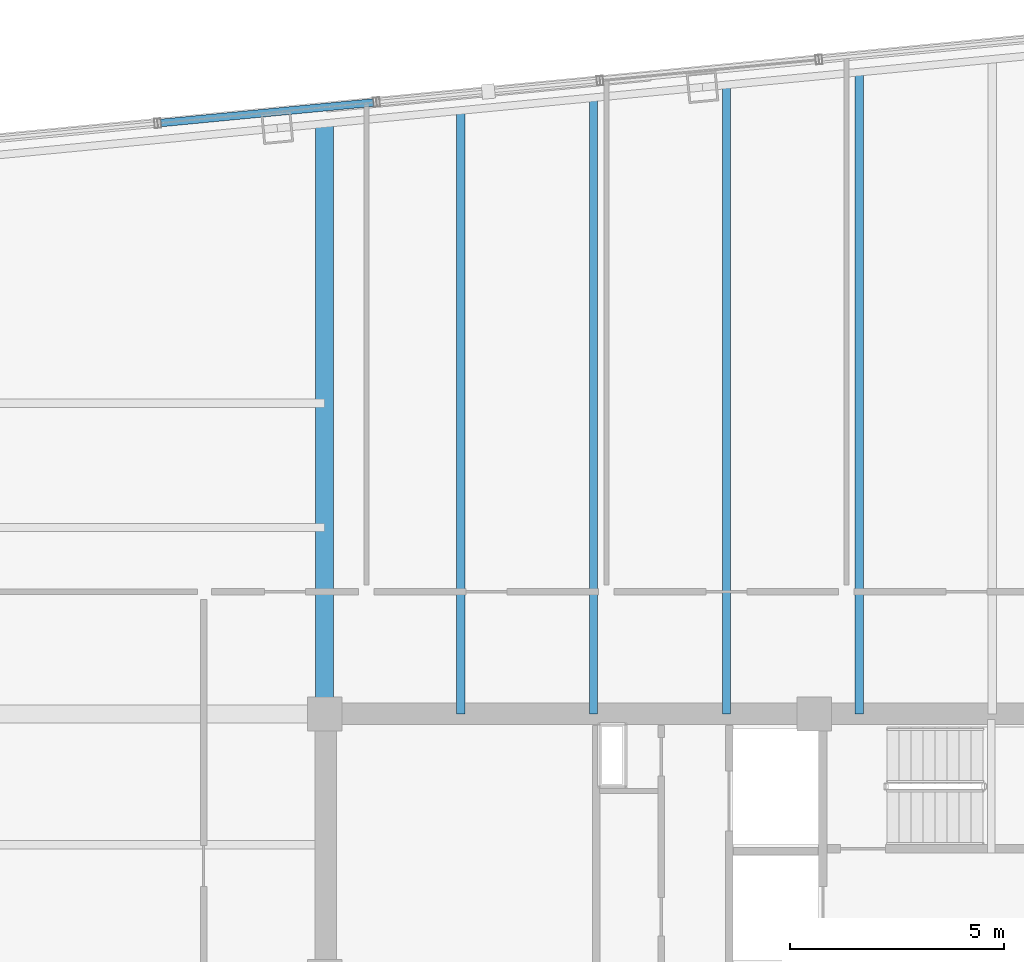
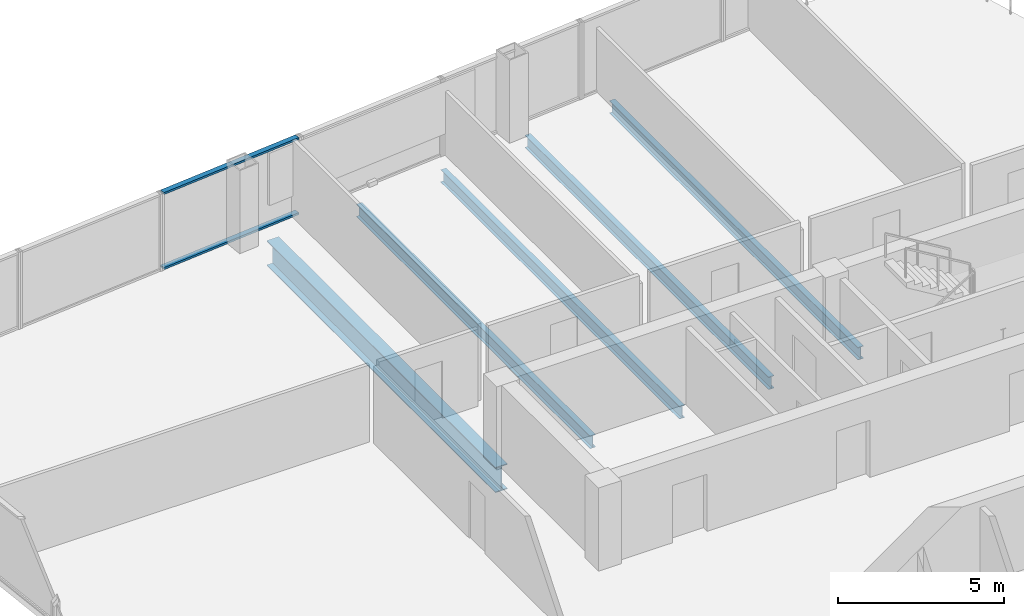
# One storey, part 13 of 22: 5 beams, 2 members, 1 element without a shape of its own.
"""IFC4 building model written with IfcOpenShell, lengths in metres."""

from ifc_helpers import new_model, si_unit, direction, frame, origin, origin_2d, place, context, subcontext, project, spatial, hollow_rectangle, i_section, extrude, material, layer, layer_set, material_profile, profile_set, type_object, element, aggregate, save


model = new_model("IFC4")

# Units and contexts
model_context = context("Model", 3, precision=1e-05, world=origin(), true_north=direction((0.0, 1.0)))
body_context = subcontext(model_context, "Body", "Model", "MODEL_VIEW")
ifc_project = project(units=[si_unit("LENGTHUNIT", "METRE"), si_unit("AREAUNIT", "SQUARE_METRE"), si_unit("VOLUMEUNIT", "CUBIC_METRE"), si_unit("PLANEANGLEUNIT", "RADIAN"), si_unit("MASSUNIT", "GRAM", prefix="KILO")], contexts=[model_context])

# Site, building, storey
site_placement = place(None, origin())
site = spatial("IfcSite", under=ifc_project, at=site_placement, CompositionType="ELEMENT")
building_placement = place(site_placement, origin())
building = spatial("IfcBuilding", under=site, at=building_placement, Name="Qhalaya Broadcast Tower", CompositionType="ELEMENT")
storey_placement = place(building_placement, frame((0.0, 0.0, 165.300048828125)))
storey = spatial("IfcBuildingStorey", under=building, at=storey_placement, Name="L48", CompositionType="ELEMENT", Elevation=165.300048828125)

# Beams
ifc_material_1 = material(Name="Structural Steel ASTM A992 Grade 50", Category="steel")
ifc_material_profile_1 = material_profile(ifc_material_1, i_section(OverallWidth=0.19189453125, OverallDepth=0.462890625, WebThickness=0.010498046875, FlangeThickness=0.017578125, at=origin_2d()), Name="W18X60")
ifc_profile_set_1 = profile_set([ifc_material_profile_1], Name="Structural Steel ASTM A992 Grade 50")
beam_type_1 = type_object("IfcBeamType", Name="Composite Floor Joist J03", PredefinedType="JOIST", material=ifc_profile_set_1)
beam_1_placement = place(storey_placement, frame((-6.199951171875, 9.949951171875, -0.45166015625), z_axis=(0.0, 1.0, 0.0), x_axis=(-1.0, 0.0, 0.0)))
element("IfcBeam", 1, at=beam_1_placement, inside=storey, type_object=beam_type_1, Name="L48 J03 L48-JNN1-1", PredefinedType="JOIST", context=body_context, shape_type="SweptSolid", body=[
    extrude(i_section(OverallWidth=0.19189453125, OverallDepth=0.462890625, WebThickness=0.010498046875, FlangeThickness=0.017578125, at=origin_2d()), origin(), (0.0, 0.0, 1.0), 14.059326171875),
])
beam_2_placement = place(storey_placement, frame((-3.10009765625, 9.949951171875, -0.45166015625), z_axis=(0.0, 1.0, 0.0), x_axis=(-1.0, 0.0, 0.0)))
element("IfcBeam", 2, at=beam_2_placement, inside=storey, type_object=beam_type_1, Name="L48 J03 L48-JNN2-1", PredefinedType="JOIST", context=body_context, shape_type="SweptSolid", body=[
    extrude(i_section(OverallWidth=0.19189453125, OverallDepth=0.462890625, WebThickness=0.010498046875, FlangeThickness=0.017578125, at=origin_2d()), origin(), (0.0, 0.0, 1.0), 14.35791015625),
])
beam_3_placement = place(storey_placement, frame((0.0, 9.949951171875, -0.45166015625), z_axis=(0.0, 1.0, 0.0), x_axis=(-1.0, 0.0, 0.0)))
element("IfcBeam", 3, at=beam_3_placement, inside=storey, type_object=beam_type_1, Name="L48 J03 L48-JNN3-1", PredefinedType="JOIST", context=body_context, shape_type="SweptSolid", body=[
    extrude(i_section(OverallWidth=0.19189453125, OverallDepth=0.462890625, WebThickness=0.010498046875, FlangeThickness=0.017578125, at=origin_2d()), origin(), (0.0, 0.0, 1.0), 14.65625),
])
beam_4_placement = place(storey_placement, frame((3.10009765625, 9.949951171875, -0.45166015625), z_axis=(0.0, 1.0, 0.0), x_axis=(-1.0, 0.0, 0.0)))
element("IfcBeam", 4, at=beam_4_placement, inside=storey, type_object=beam_type_1, Name="L48 J03 L48-JNN4-1", PredefinedType="JOIST", context=body_context, shape_type="SweptSolid", body=[
    extrude(i_section(OverallWidth=0.19189453125, OverallDepth=0.462890625, WebThickness=0.010498046875, FlangeThickness=0.017578125, at=origin_2d()), origin(), (0.0, 0.0, 1.0), 14.954833984375),
])
ifc_material_profile_2 = material_profile(ifc_material_1, i_section(OverallWidth=0.4189453125, OverallDepth=0.927001953125, WebThickness=0.019287109375, FlangeThickness=0.031982421875, at=origin_2d()), Name="W36X231")
ifc_profile_set_2 = profile_set([ifc_material_profile_2], Name="Structural Steel ASTM A992 Grade 50")
beam_type_2 = type_object("IfcBeamType", Name="Mid Block Primary Girder PG3", PredefinedType="USERDEFINED", material=ifc_profile_set_2)
beam_5_placement = place(storey_placement, frame((-9.375, 9.949951171875, -0.68359375), z_axis=(0.0, 1.0, 0.0), x_axis=(-1.0, 0.0, 0.0)))
element("IfcBeam", 5, at=beam_5_placement, inside=storey, type_object=beam_type_2, Name="L48 PG3 L48-PGXN1-1", ObjectType="GIRDER", PredefinedType="USERDEFINED", context=body_context, shape_type="SweptSolid", body=[
    extrude(i_section(OverallWidth=0.4189453125, OverallDepth=0.927001953125, WebThickness=0.019287109375, FlangeThickness=0.031982421875, at=origin_2d()), origin(), (0.0, 0.0, 1.0), 13.753662109375),
])

# Curtain wall, members
ifc_material_2 = material(Name="Solar-Control Low-E Triple Glazing", Category="glass")
ifc_layer = layer(ifc_material_2, 0.219970703125, Name="Solar-Control Low-E Triple Glazing")
ifc_layer_set = layer_set([ifc_layer], Name="Solar-Control Low-E Triple Glazing")
curtain_wall_type = type_object("IfcCurtainWallType", Name="Even-Block 4-Storey Double-Module Curtain Wall CW-03", PredefinedType="NOTDEFINED", material=ifc_layer_set)
curtain_wall_placement = place(storey_placement, origin())
curtain_wall = element("IfcCurtainWall", 6, at=curtain_wall_placement, inside=storey, type_object=curtain_wall_type, Name="L48 Unitised Curtain Wall L48-CW-N5", PredefinedType="NOTDEFINED")
ifc_material_3 = material(Name="Anodised Aluminium 6063-T6", Category="aluminium")
ifc_material_profile_3 = material_profile(ifc_material_3, hollow_rectangle(XDim=0.074951171875, YDim=0.179931640625, WallThickness=0.00390625, at=origin_2d()), Name="ALU-TRN 75x180x4")
ifc_profile_set_3 = profile_set([ifc_material_profile_3], Name="Anodised Aluminium 6063-T6")
member_type = type_object("IfcMemberType", Name="Unitised Curtain-Wall Transom T01", PredefinedType="USERDEFINED", material=ifc_profile_set_3)
member_1_placement = place(storey_placement, frame((-8.236328125, 24.215087890625, 0.037353515625), z_axis=(-0.995398246298, -0.09582448156, 0.0), x_axis=(0.0, 0.0, 1.0)))
member_1 = element("IfcMember", 7, at=member_1_placement, type_object=member_type, Name="CW-03 transom 1.1", ObjectType="TRANSOM", PredefinedType="USERDEFINED", context=body_context, shape_type="SweptSolid", body=[
    extrude(hollow_rectangle(XDim=0.074951171875, YDim=0.179931640625, WallThickness=0.00390625, at=origin_2d()), origin(), (0.0, 0.0, 1.0), 4.98095703125),
])
member_2_placement = place(storey_placement, frame((-8.236328125, 24.215087890625, 2.79248046875), z_axis=(-0.995398246298, -0.09582448156, 0.0), x_axis=(0.0, 0.0, 1.0)))
member_2 = element("IfcMember", 8, at=member_2_placement, type_object=member_type, Name="CW-03 transom 1.2", ObjectType="TRANSOM", PredefinedType="USERDEFINED", context=body_context, shape_type="SweptSolid", body=[
    extrude(hollow_rectangle(XDim=0.074951171875, YDim=0.179931640625, WallThickness=0.00390625, at=origin_2d()), origin(), (0.0, 0.0, 1.0), 4.98095703125),
])
aggregate(curtain_wall, [member_1, member_2])

save(model, "model.ifc")
